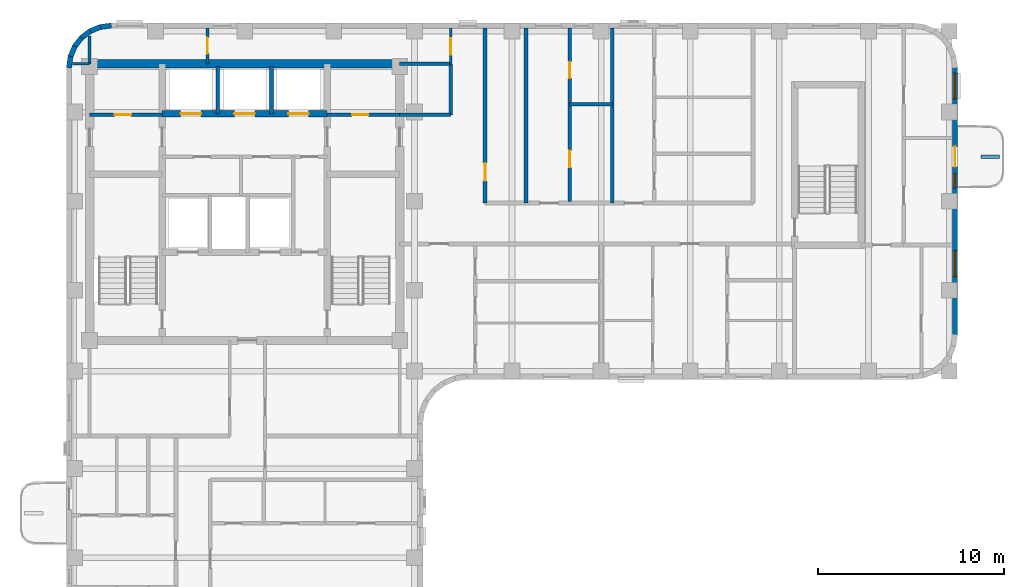
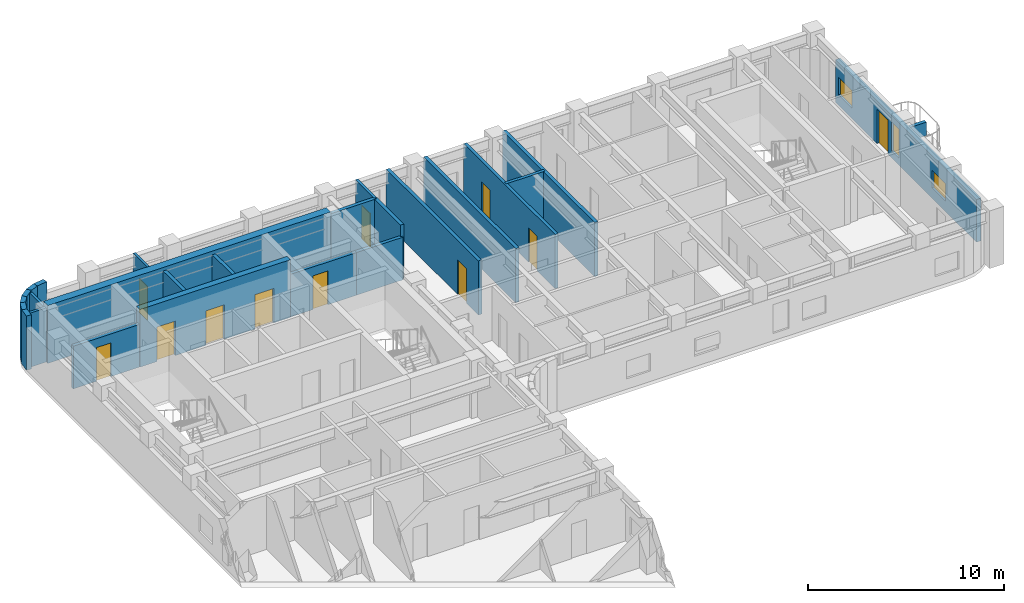
# One storey, part 6 of 10: 26 walls, 11 doors, 3 windows, 14 openings.
"""IFC4 building model written with IfcOpenShell, lengths in metres."""

from ifc_helpers import new_model, si_unit, direction, frame, frame_2d, origin, place, context, subcontext, project, spatial, rectangle, extrude, material, layer, layer_set, type_object, element, fill, save


model = new_model("IFC4")

# Units and contexts
model_context = context("Model", 3, precision=1e-05, world=origin(), true_north=direction((0.0, 1.0)))
body_context = subcontext(model_context, "Body", "Model", "MODEL_VIEW")
ifc_project = project(units=[si_unit("LENGTHUNIT", "METRE"), si_unit("AREAUNIT", "SQUARE_METRE"), si_unit("VOLUMEUNIT", "CUBIC_METRE"), si_unit("PLANEANGLEUNIT", "RADIAN"), si_unit("MASSUNIT", "GRAM", prefix="KILO")], contexts=[model_context])

# Site, building, storey
site_placement = place(None, origin())
site = spatial("IfcSite", under=ifc_project, at=site_placement, CompositionType="ELEMENT")
building_placement = place(site_placement, origin())
building = spatial("IfcBuilding", under=site, at=building_placement, Name="Orvandelia Arch Residences", CompositionType="ELEMENT")
storey_placement = place(building_placement, frame((0.0, 0.0, 221.800048828125)))
storey = spatial("IfcBuildingStorey", under=building, at=storey_placement, Name="L58", CompositionType="ELEMENT", Elevation=221.800048828125)

# Wall, openings, doors
ifc_material_1 = material(Name="Concrete C50/60", Category="concrete")
ifc_layer_1 = layer(ifc_material_1, 0.35009765625, Name="Concrete C50/60", Category="concrete")
ifc_layer_set_1 = layer_set([ifc_layer_1], Name="Concrete C50/60")
wall_type_1 = type_object("IfcWallType", Name="WL-CORE-350", PredefinedType="SHEAR", material=ifc_layer_set_1)
wall_1_placement = place(storey_placement, frame((9.9599609375, 43.10009765625, 0.0), z_axis=(0.0, 0.0, 1.0), x_axis=(1.0, 0.0, 0.0)))
wall_1 = element("IfcWall", 1, at=wall_1_placement, inside=storey, type_object=wall_type_1, Name="Core Shear Wall L58-HZ4", PredefinedType="SHEAR", context=body_context, shape_type="SweptSolid", body=[
    extrude(rectangle(XDim=8.880126953125, YDim=0.35009765625, at=frame_2d((4.43994140625, 0.0))), origin(), (0.0, 0.0, 1.0), 3.599853515625),
])
opening_1_placement = place(wall_1_placement, frame((0.989990234375, 0.0, 0.0)))
opening_1 = element("IfcOpeningElement", 2, at=opening_1_placement, cuts=wall_1, Name="Opening LD", PredefinedType="OPENING", context=body_context, shape_type="SweptSolid", body=[
    extrude(rectangle(XDim=1.10009765625, YDim=2.14990234375, at=frame_2d((0.550048828125, 1.074951171875))), frame((0.0, 0.18505859375, 0.0), z_axis=(0.0, -1.0, 0.0), x_axis=(1.0, 0.0, 0.0)), (0.0, 0.0, 1.0), 0.3701171875),
])
opening_2_placement = place(wall_1_placement, frame((3.889892578125, 0.0, 0.0)))
opening_2 = element("IfcOpeningElement", 3, at=opening_2_placement, cuts=wall_1, Name="Opening LD", PredefinedType="OPENING", context=body_context, shape_type="SweptSolid", body=[
    extrude(rectangle(XDim=1.10009765625, YDim=2.14990234375, at=frame_2d((0.550048828125, 1.074951171875))), frame((0.0, 0.18505859375, 0.0), z_axis=(0.0, -1.0, 0.0), x_axis=(1.0, 0.0, 0.0)), (0.0, 0.0, 1.0), 0.3701171875),
])
opening_3_placement = place(wall_1_placement, frame((6.7900390625, 0.0, 0.0)))
opening_3 = element("IfcOpeningElement", 4, at=opening_3_placement, cuts=wall_1, Name="Opening LD", PredefinedType="OPENING", context=body_context, shape_type="SweptSolid", body=[
    extrude(rectangle(XDim=1.10009765625, YDim=2.14990234375, at=frame_2d((0.550048828125, 1.074951171875))), frame((0.0, 0.18505859375, 0.0), z_axis=(0.0, -1.0, 0.0), x_axis=(1.0, 0.0, 0.0)), (0.0, 0.0, 1.0), 0.3701171875),
])
ifc_material_2 = material(Name="Brushed Stainless Steel Sliding Lift Door", Category="steel")
door_type_1 = type_object("IfcDoorType", Name="DR-LIFT-1100", OperationType="NOTDEFINED", PredefinedType="DOOR", material=ifc_material_2)
door_1_placement = place(opening_1_placement, origin())
door_1 = element("IfcDoor", 5, at=door_1_placement, inside=storey, type_object=door_type_1, Name="Lift Landing Door LD-PH1-L58", OperationType="SLIDING_TO_LEFT", OverallHeight=2.14990234375, OverallWidth=1.10009765625, PredefinedType="DOOR", context=body_context, shape_type="SweptSolid", body=[
    extrude(rectangle(XDim=1.10009765625, YDim=2.14990234375, at=frame_2d((0.550048828125, 1.074951171875))), frame((0.0, 0.02490234375, 0.0), z_axis=(0.0, -1.0, 0.0), x_axis=(1.0, 0.0, 0.0)), (0.0, 0.0, 1.0), 0.050048828125),
])
fill(opening_1, door_1)
door_2_placement = place(opening_2_placement, origin())
door_2 = element("IfcDoor", 6, at=door_2_placement, inside=storey, type_object=door_type_1, Name="Lift Landing Door LD-PH2-L58", OperationType="SLIDING_TO_RIGHT", OverallHeight=2.14990234375, OverallWidth=1.10009765625, PredefinedType="DOOR", context=body_context, shape_type="SweptSolid", body=[
    extrude(rectangle(XDim=1.10009765625, YDim=2.14990234375, at=frame_2d((0.550048828125, 1.074951171875))), frame((0.0, 0.02490234375, 0.0), z_axis=(0.0, -1.0, 0.0), x_axis=(1.0, 0.0, 0.0)), (0.0, 0.0, 1.0), 0.050048828125),
])
fill(opening_2, door_2)
door_3_placement = place(opening_3_placement, origin())
door_3 = element("IfcDoor", 7, at=door_3_placement, inside=storey, type_object=door_type_1, Name="Lift Landing Door LD-PH3-L58", OperationType="SLIDING_TO_LEFT", OverallHeight=2.14990234375, OverallWidth=1.10009765625, PredefinedType="DOOR", context=body_context, shape_type="SweptSolid", body=[
    extrude(rectangle(XDim=1.10009765625, YDim=2.14990234375, at=frame_2d((0.550048828125, 1.074951171875))), frame((0.0, 0.02490234375, 0.0), z_axis=(0.0, -1.0, 0.0), x_axis=(1.0, 0.0, 0.0)), (0.0, 0.0, 1.0), 0.050048828125),
])
fill(opening_3, door_3)

# Walls
ifc_layer_2 = layer(ifc_material_1, 0.449951171875, Name="Concrete C50/60", Category="concrete")
ifc_layer_set_2 = layer_set([ifc_layer_2], Name="Concrete C50/60")
wall_type_2 = type_object("IfcWallType", Name="WL-CORE-450", PredefinedType="SHEAR", material=ifc_layer_set_2)
wall_2_placement = place(storey_placement, frame((6.050048828125, 45.800048828125, 0.0), z_axis=(0.0, 0.0, 1.0), x_axis=(1.0, 0.0, 0.0)))
element("IfcWall", 8, at=wall_2_placement, inside=storey, type_object=wall_type_2, Name="Core Shear Wall L58-N", PredefinedType="SHEAR", context=body_context, shape_type="SweptSolid", body=[
    extrude(rectangle(XDim=16.699951171875, YDim=0.449951171875, at=frame_2d((8.35009765625, 0.0))), origin(), (0.0, 0.0, 1.0), 3.599853515625),
])
ifc_material_3 = material(Name="Fire-Rated Corridor Partition")
ifc_layer_3 = layer(ifc_material_3, 0.199951171875, Name="Fire-Rated Corridor Partition")
ifc_layer_set_3 = layer_set([ifc_layer_3], Name="Fire-Rated Corridor Partition")
wall_type_3 = type_object("IfcWallType", Name="WL-CORR-200", PredefinedType="PARTITIONING", material=ifc_layer_set_3)
wall_3_placement = place(storey_placement, frame((22.75, 45.800048828125, 0.0), z_axis=(0.0, 0.0, 1.0), x_axis=(1.0, 0.0, 0.0)))
element("IfcWall", 9, at=wall_3_placement, inside=storey, type_object=wall_type_3, Name="Interior Partition Wall WL-L58-NCE-S", PredefinedType="PARTITIONING", context=body_context, shape_type="SweptSolid", body=[
    extrude(rectangle(XDim=2.75, YDim=0.199951171875, at=frame_2d((1.375, 0.0))), origin(), (0.0, 0.0, 1.0), 3.3798828125),
])

# Wall, opening, door
wall_4_placement = place(storey_placement, frame((27.35009765625, 38.300048828125, 0.0), z_axis=(0.0, 0.0, 1.0), x_axis=(0.0, 1.0, 0.0)))
wall_4 = element("IfcWall", 10, at=wall_4_placement, inside=storey, type_object=wall_type_3, Name="Interior Partition Wall WL-L58-EM-NCE", PredefinedType="PARTITIONING", context=body_context, shape_type="SweptSolid", body=[
    extrude(rectangle(XDim=9.419921875, YDim=0.199951171875, at=frame_2d((4.7099609375, 0.0))), origin(), (0.0, 0.0, 1.0), 3.3798828125),
])
opening_4_placement = place(wall_4_placement, frame((1.199951171875, 0.0, 0.0)))
opening_4 = element("IfcOpeningElement", 11, at=opening_4_placement, cuts=wall_4, Name="Opening D2", PredefinedType="OPENING", context=body_context, shape_type="SweptSolid", body=[
    extrude(rectangle(XDim=0.949951171875, YDim=2.14990234375, at=frame_2d((0.47509765625, 1.074951171875))), frame((0.0, 0.10986328125, 0.0), z_axis=(0.0, -1.0, 0.0), x_axis=(1.0, 0.0, 0.0)), (0.0, 0.0, 1.0), 0.219970703125),
])
ifc_material_4 = material(Name="Solid-Core Timber Interior Fire Door", Category="wood")
door_type_2 = type_object("IfcDoorType", Name="DR-APT-950", OperationType="NOTDEFINED", PredefinedType="DOOR", material=ifc_material_4)
door_4_placement = place(opening_4_placement, origin())
door_4 = element("IfcDoor", 12, at=door_4_placement, inside=storey, type_object=door_type_2, Name="DR-L58-LDY", OperationType="SINGLE_SWING_RIGHT", OverallHeight=2.14990234375, OverallWidth=0.949951171875, PredefinedType="DOOR", context=body_context, shape_type="SweptSolid", body=[
    extrude(rectangle(XDim=0.949951171875, YDim=2.14990234375, at=frame_2d((0.47509765625, 1.074951171875))), frame((0.0, 0.02490234375, 0.0), z_axis=(0.0, -1.0, 0.0), x_axis=(1.0, 0.0, 0.0)), (0.0, 0.0, 1.0), 0.050048828125),
])
fill(opening_4, door_4)

# Walls
wall_5_placement = place(storey_placement, frame((22.75, 43.050048828125, 0.0), z_axis=(0.0, 0.0, 1.0), x_axis=(1.0, 0.0, 0.0)))
element("IfcWall", 13, at=wall_5_placement, inside=storey, type_object=wall_type_3, Name="Interior Partition Wall WL-L58-EM-LS", PredefinedType="PARTITIONING", context=body_context, shape_type="SweptSolid", body=[
    extrude(rectangle(XDim=2.75, YDim=0.199951171875, at=frame_2d((1.375, 0.0))), origin(), (0.0, 0.0, 1.0), 2.659912109375),
])
wall_6_placement = place(storey_placement, frame((25.5, 43.050048828125, 0.0), z_axis=(0.0, 0.0, 1.0), x_axis=(0.0, 1.0, 0.0)))
element("IfcWall", 14, at=wall_6_placement, inside=storey, type_object=wall_type_3, Name="Interior Partition Wall WL-L58-EM-LW2", PredefinedType="PARTITIONING", context=body_context, shape_type="SweptSolid", body=[
    extrude(rectangle(XDim=2.75, YDim=0.199951171875, at=frame_2d((1.375, 0.0))), origin(), (0.0, 0.0, 1.0), 3.3798828125),
])
ifc_material_5 = material(Name="Concrete C40/50", Category="concrete")
ifc_layer_4 = layer(ifc_material_5, 0.199951171875, Name="Concrete C40/50", Category="concrete")
ifc_layer_set_4 = layer_set([ifc_layer_4], Name="Concrete C40/50")
wall_type_4 = type_object("IfcWallType", Name="WL-DEM-200", PredefinedType="SOLIDWALL", material=ifc_layer_set_4)
for number, where, z_axis, x_axis, name in (
    (15, (29.550048828125, 38.300048828125, 0.0), (0.0, 0.0, 1.0), (0.0, 1.0, 0.0), "Interior Partition Wall WL-L58-EM-LDE"),
    (16, (34.199951171875, 38.300048828125, 0.0), (0.0, 0.0, 1.0), (0.0, 1.0, 0.0), "Interior Partition Wall WL-L58-DEM-EMN-342"),
):
    element("IfcWall", number, at=place(storey_placement, frame(where, z_axis=z_axis, x_axis=x_axis)), inside=storey, type_object=wall_type_4, Name=name, PredefinedType="SOLIDWALL", context=body_context, shape_type="SweptSolid", body=[
        extrude(rectangle(XDim=9.419921875, YDim=0.199951171875, at=frame_2d((4.7099609375, 0.0))), origin(), (0.0, 0.0, 1.0), 3.3798828125),
    ])
ifc_material_6 = material(Name="Precast concrete C40/50", Category="concrete")
ifc_layer_5 = layer(ifc_material_6, 0.280029296875, Name="Precast concrete C40/50", Category="concrete")
ifc_layer_set_5 = layer_set([ifc_layer_5], Name="Precast concrete C40/50")
wall_type_5 = type_object("IfcWallType", Name="WL-EXT-STONE-280", PredefinedType="STANDARD", material=ifc_layer_set_5)
for number, where, z_axis, x_axis, name in (
    (17, (4.938720703125, 45.581787109375, 0.0), (0.0, 0.0, 1.0), (0.130555323746, 0.9914410257, 0.0), "Coral-Limestone Precast Facade Wall L58-001"),
    (18, (5.010986328125, 46.16748046875, 0.0), (0.0, 0.0, 1.0), (0.382650053678, 0.92389335771, 0.0), "Coral-Limestone Precast Facade Wall L58-002"),
    (19, (5.232666015625, 46.71484375, 0.0), (0.0, 0.0, 1.0), (0.608693302629, 0.793405610854, 0.0), "Coral-Limestone Precast Facade Wall L58-003"),
    (20, (5.588134765625, 47.18603515625, 0.0), (0.0, 0.0, 1.0), (0.793405610854, 0.608693302629, 0.0), "Coral-Limestone Precast Facade Wall L58-004"),
):
    element("IfcWall", number, at=place(storey_placement, frame(where, z_axis=z_axis, x_axis=x_axis)), inside=storey, type_object=wall_type_5, Name=name, PredefinedType="STANDARD", context=body_context, shape_type="SweptSolid", body=[
        extrude(rectangle(XDim=0.62646484375, YDim=0.280029296875, at=frame_2d((0.313232421875, 0.0))), origin(), (0.0, 0.0, 1.0), 3.3798828125),
    ])
wall_7_placement = place(storey_placement, frame((6.0537109375, 47.54931640625, 0.0), z_axis=(0.0, 0.0, 1.0), x_axis=(0.923974080304, 0.382455093999, 0.0)))
element("IfcWall", 21, at=wall_7_placement, inside=storey, type_object=wall_type_5, Name="Coral-Limestone Precast Facade Wall L58-005", PredefinedType="STANDARD", context=body_context, shape_type="SweptSolid", body=[
    extrude(rectangle(XDim=0.626220703125, YDim=0.280029296875, at=frame_2d((0.31298828125, 0.0))), origin(), (0.0, 0.0, 1.0), 3.3798828125),
])
wall_8_placement = place(storey_placement, frame((6.59716796875, 47.779296875, 0.0), z_axis=(0.0, 0.0, 1.0), x_axis=(0.9914410257, 0.130555323746, 0.0)))
element("IfcWall", 22, at=wall_8_placement, inside=storey, type_object=wall_type_5, Name="Coral-Limestone Precast Facade Wall L58-006", PredefinedType="STANDARD", context=body_context, shape_type="SweptSolid", body=[
    extrude(rectangle(XDim=0.62646484375, YDim=0.280029296875, at=frame_2d((0.313232421875, 0.0))), origin(), (0.0, 0.0, 1.0), 3.3798828125),
])

# Wall, openings, door, windows
wall_9_placement = place(storey_placement, frame((52.659912109375, 45.60009765625, 0.0), z_axis=(0.0, 0.0, 1.0), x_axis=(0.0, -1.0, 0.0)))
wall_9 = element("IfcWall", 23, at=wall_9_placement, inside=storey, type_object=wall_type_5, Name="Coral-Limestone Precast Facade Wall L58-014", PredefinedType="STANDARD", context=body_context, shape_type="SweptSolid", body=[
    extrude(rectangle(XDim=14.400146484375, YDim=0.280029296875, at=frame_2d((7.2001953125, 0.0))), origin(), (0.0, 0.0, 1.0), 2.659912109375),
])
opening_5_placement = place(wall_9_placement, frame((4.25, 0.0, 0.0)))
opening_5 = element("IfcOpeningElement", 24, at=opening_5_placement, cuts=wall_9, Name="Opening BD1", PredefinedType="OPENING", context=body_context, shape_type="SweptSolid", body=[
    extrude(rectangle(XDim=1.10009765625, YDim=2.14990234375, at=frame_2d((0.550048828125, 1.074951171875))), frame((0.0, 0.14990234375, 0.0), z_axis=(0.0, -1.0, 0.0), x_axis=(1.0, 0.0, 0.0)), (0.0, 0.0, 1.0), 0.300048828125),
])
opening_6_placement = place(wall_9_placement, frame((9.862548828125, 0.0, 0.64990234375)))
opening_6 = element("IfcOpeningElement", 25, at=opening_6_placement, cuts=wall_9, Name="Opening W10", PredefinedType="OPENING", context=body_context, shape_type="SweptSolid", body=[
    extrude(rectangle(XDim=1.39990234375, YDim=1.10009765625, at=frame_2d((0.699951171875, 0.550048828125))), frame((0.0, 0.14990234375, 0.0), z_axis=(0.0, -1.0, 0.0), x_axis=(1.0, 0.0, 0.0)), (0.0, 0.0, 1.0), 0.300048828125),
])
opening_7_placement = place(wall_9_placement, frame((5.7275390625, 0.0, 0.449951171875)))
opening_7 = element("IfcOpeningElement", 26, at=opening_7_placement, cuts=wall_9, Name="Opening W11", PredefinedType="OPENING", context=body_context, shape_type="SweptSolid", body=[
    extrude(rectangle(XDim=0.75, YDim=1.800048828125, at=frame_2d((0.375, 0.89990234375))), frame((0.0, 0.14990234375, 0.0), z_axis=(0.0, -1.0, 0.0), x_axis=(1.0, 0.0, 0.0)), (0.0, 0.0, 1.0), 0.300048828125),
])
opening_8_placement = place(wall_9_placement, frame((0.3076171875, 0.0, 0.64990234375)))
opening_8 = element("IfcOpeningElement", 27, at=opening_8_placement, cuts=wall_9, Name="Opening W10", PredefinedType="OPENING", context=body_context, shape_type="SweptSolid", body=[
    extrude(rectangle(XDim=1.39990234375, YDim=1.10009765625, at=frame_2d((0.699951171875, 0.550048828125))), frame((0.0, 0.14990234375, 0.0), z_axis=(0.0, -1.0, 0.0), x_axis=(1.0, 0.0, 0.0)), (0.0, 0.0, 1.0), 0.300048828125),
])
ifc_material_7 = material(Name="Thermally Broken Aluminium Glazed Door", Category="aluminium")
door_type_3 = type_object("IfcDoorType", Name="DR-BAL-GLAZ-1100", OperationType="NOTDEFINED", PredefinedType="DOOR", material=ifc_material_7)
door_5_placement = place(opening_5_placement, origin())
door_5 = element("IfcDoor", 28, at=door_5_placement, inside=storey, type_object=door_type_3, Name="Tree Balcony Glazed Door BAL-L58-E1", OperationType="SINGLE_SWING_LEFT", OverallHeight=2.14990234375, OverallWidth=1.10009765625, PredefinedType="DOOR", context=body_context, shape_type="SweptSolid", body=[
    extrude(rectangle(XDim=1.10009765625, YDim=2.14990234375, at=frame_2d((0.550048828125, 1.074951171875))), frame((0.0, 0.02490234375, 0.0), z_axis=(0.0, -1.0, 0.0), x_axis=(1.0, 0.0, 0.0)), (0.0, 0.0, 1.0), 0.050048828125),
])
fill(opening_5, door_5)
ifc_material_8 = material(Name="Tempered Low-E Insulated Glazing", Category="glass")
window_type_1 = type_object("IfcWindowType", Name="WIN-BED-0750x1800", PartitioningType="SINGLE_PANEL", PredefinedType="WINDOW", material=ifc_material_8)
window_1_placement = place(opening_7_placement, origin())
window_1 = element("IfcWindow", 29, at=window_1_placement, inside=storey, type_object=window_type_1, Name="Recessed Punched Window L58-011", OverallHeight=1.800048828125, OverallWidth=0.75, PartitioningType="SINGLE_PANEL", PredefinedType="WINDOW", context=body_context, shape_type="SweptSolid", body=[
    extrude(rectangle(XDim=0.75, YDim=1.800048828125, at=frame_2d((0.375, 0.89990234375))), frame((0.0, 0.030029296875, 0.0), z_axis=(0.0, -1.0, 0.0), x_axis=(1.0, 0.0, 0.0)), (0.0, 0.0, 1.0), 0.06005859375),
])
fill(opening_7, window_1)
window_type_2 = type_object("IfcWindowType", Name="WIN-CLR-1400x1100", PartitioningType="SINGLE_PANEL", PredefinedType="WINDOW", material=ifc_material_8)
window_2_placement = place(opening_6_placement, origin())
window_2 = element("IfcWindow", 30, at=window_2_placement, inside=storey, type_object=window_type_2, Name="Recessed Punched Window L58-010", OverallHeight=1.10009765625, OverallWidth=1.39990234375, PartitioningType="SINGLE_PANEL", PredefinedType="WINDOW", context=body_context, shape_type="SweptSolid", body=[
    extrude(rectangle(XDim=1.39990234375, YDim=1.10009765625, at=frame_2d((0.699951171875, 0.550048828125))), frame((0.0, 0.030029296875, 0.0), z_axis=(0.0, -1.0, 0.0), x_axis=(1.0, 0.0, 0.0)), (0.0, 0.0, 1.0), 0.06005859375),
])
fill(opening_6, window_2)
window_3_placement = place(opening_8_placement, origin())
window_3 = element("IfcWindow", 31, at=window_3_placement, inside=storey, type_object=window_type_2, Name="Recessed Punched Window L58-012", OverallHeight=1.10009765625, OverallWidth=1.39990234375, PartitioningType="SINGLE_PANEL", PredefinedType="WINDOW", context=body_context, shape_type="SweptSolid", body=[
    extrude(rectangle(XDim=1.39990234375, YDim=1.10009765625, at=frame_2d((0.699951171875, 0.550048828125))), frame((0.0, 0.030029296875, 0.0), z_axis=(0.0, -1.0, 0.0), x_axis=(1.0, 0.0, 0.0)), (0.0, 0.0, 1.0), 0.06005859375),
])
fill(opening_8, window_3)

# Wall
ifc_material_9 = material(Name="Acoustic Gypsum Stud Partition")
ifc_layer_6 = layer(ifc_material_9, 0.14990234375, Name="Acoustic Gypsum Stud Partition")
ifc_layer_set_6 = layer_set([ifc_layer_6], Name="Acoustic Gypsum Stud Partition")
wall_type_6 = type_object("IfcWallType", Name="WL-PART-150", PredefinedType="PARTITIONING", material=ifc_layer_set_6)
wall_10_placement = place(storey_placement, frame((5.1201171875, 45.800048828125, 0.0), z_axis=(0.0, 0.0, 1.0), x_axis=(1.0, 0.0, 0.0)))
element("IfcWall", 32, at=wall_10_placement, inside=storey, type_object=wall_type_6, Name="Interior Partition Wall WL-L58-WF-N", PredefinedType="PARTITIONING", context=body_context, shape_type="SweptSolid", body=[
    extrude(rectangle(XDim=0.929931640625, YDim=0.14990234375, at=frame_2d((0.46484375, 0.0))), origin(), (0.0, 0.0, 1.0), 3.3798828125),
])

# Wall, opening, door
wall_11_placement = place(storey_placement, frame((25.5, 45.800048828125, 0.0), z_axis=(0.0, 0.0, 1.0), x_axis=(0.0, 1.0, 0.0)))
wall_11 = element("IfcWall", 33, at=wall_11_placement, inside=storey, type_object=wall_type_6, Name="Interior Partition Wall WL-L58-NCE-W", PredefinedType="PARTITIONING", context=body_context, shape_type="SweptSolid", body=[
    extrude(rectangle(XDim=1.919921875, YDim=0.14990234375, at=frame_2d((0.9599609375, 0.0))), origin(), (0.0, 0.0, 1.0), 3.3798828125),
])
opening_9_placement = place(wall_11_placement, frame((0.5, 0.0, 0.0)))
opening_9 = element("IfcOpeningElement", 34, at=opening_9_placement, cuts=wall_11, Name="Opening D5", PredefinedType="OPENING", context=body_context, shape_type="SweptSolid", body=[
    extrude(rectangle(XDim=0.8798828125, YDim=2.10009765625, at=frame_2d((0.43994140625, 1.050048828125))), frame((0.0, 0.0849609375, 0.0), z_axis=(0.0, -1.0, 0.0), x_axis=(1.0, 0.0, 0.0)), (0.0, 0.0, 1.0), 0.169921875),
])
ifc_material_10 = material(Name="Painted Galvanised Steel Service Door", Category="steel")
door_type_4 = type_object("IfcDoorType", Name="DR-SRV-880", OperationType="NOTDEFINED", PredefinedType="DOOR", material=ifc_material_10)
door_6_placement = place(opening_9_placement, origin())
door_6 = element("IfcDoor", 35, at=door_6_placement, inside=storey, type_object=door_type_4, Name="DR-L58-NCS2", OperationType="SINGLE_SWING_LEFT", OverallHeight=2.10009765625, OverallWidth=0.8798828125, PredefinedType="DOOR", context=body_context, shape_type="SweptSolid", body=[
    extrude(rectangle(XDim=0.8798828125, YDim=2.10009765625, at=frame_2d((0.43994140625, 1.050048828125))), frame((0.0, 0.02490234375, 0.0), z_axis=(0.0, -1.0, 0.0), x_axis=(1.0, 0.0, 0.0)), (0.0, 0.0, 1.0), 0.050048828125),
])
fill(opening_9, door_6)

# Wall
wall_12_placement = place(storey_placement, frame((6.050048828125, 45.800048828125, 0.0), z_axis=(0.0, 0.0, 1.0), x_axis=(0.0, 1.0, 0.0)))
element("IfcWall", 36, at=wall_12_placement, inside=storey, type_object=wall_type_6, Name="Interior Partition Wall WL-L58-NC-W6", PredefinedType="PARTITIONING", context=body_context, shape_type="SweptSolid", body=[
    extrude(rectangle(XDim=1.5, YDim=0.14990234375, at=frame_2d((0.75, 0.0))), origin(), (0.0, 0.0, 1.0), 3.3798828125),
])

# Wall, opening, door
wall_13_placement = place(storey_placement, frame((12.39990234375, 45.800048828125, 0.0), z_axis=(0.0, 0.0, 1.0), x_axis=(0.0, 1.0, 0.0)))
wall_13 = element("IfcWall", 37, at=wall_13_placement, inside=storey, type_object=wall_type_6, Name="Interior Partition Wall WL-L58-NC-M", PredefinedType="PARTITIONING", context=body_context, shape_type="SweptSolid", body=[
    extrude(rectangle(XDim=1.919921875, YDim=0.14990234375, at=frame_2d((0.9599609375, 0.0))), origin(), (0.0, 0.0, 1.0), 3.3798828125),
])
opening_10_placement = place(wall_13_placement, frame((0.550048828125, 0.0, 0.0)))
opening_10 = element("IfcOpeningElement", 38, at=opening_10_placement, cuts=wall_13, Name="Opening D4", PredefinedType="OPENING", context=body_context, shape_type="SweptSolid", body=[
    extrude(rectangle(XDim=0.860107421875, YDim=2.10009765625, at=frame_2d((0.43017578125, 1.050048828125))), frame((0.0, 0.0849609375, 0.0), z_axis=(0.0, -1.0, 0.0), x_axis=(1.0, 0.0, 0.0)), (0.0, 0.0, 1.0), 0.169921875),
])
ifc_material_11 = material(Name="Moisture-Sealed Timber Bathroom Door", Category="wood")
door_type_5 = type_object("IfcDoorType", Name="DR-WET-900", OperationType="NOTDEFINED", PredefinedType="DOOR", material=ifc_material_11)
door_7_placement = place(opening_10_placement, origin())
door_7 = element("IfcDoor", 39, at=door_7_placement, inside=storey, type_object=door_type_5, Name="DR-L58-NCS1", OperationType="SINGLE_SWING_LEFT", OverallHeight=2.10009765625, OverallWidth=0.860107421875, PredefinedType="DOOR", context=body_context, shape_type="SweptSolid", body=[
    extrude(rectangle(XDim=0.860107421875, YDim=2.10009765625, at=frame_2d((0.43017578125, 1.050048828125))), frame((0.0, 0.02490234375, 0.0), z_axis=(0.0, -1.0, 0.0), x_axis=(1.0, 0.0, 0.0)), (0.0, 0.0, 1.0), 0.050048828125),
])
fill(opening_10, door_7)

# Wall
ifc_layer_7 = layer(ifc_material_6, 0.199951171875, Name="Precast concrete C40/50", Category="concrete")
ifc_layer_set_7 = layer_set([ifc_layer_7], Name="Precast concrete C40/50")
wall_type_7 = type_object("IfcWallType", Name="WL-PLANTER-200", PredefinedType="MOVABLE", material=ifc_layer_set_7)
wall_14_placement = place(storey_placement, frame((54.050048828125, 40.800048828125, 0.0), z_axis=(0.0, 0.0, 1.0), x_axis=(1.0, 0.0, 0.0)))
element("IfcWall", 40, at=wall_14_placement, inside=storey, type_object=wall_type_7, Name="Balcony Precast Tree Planter BAL-L58-E1", PredefinedType="MOVABLE", context=body_context, shape_type="SweptSolid", body=[
    extrude(rectangle(XDim=1.0, YDim=0.199951171875, at=frame_2d((0.5, 0.0))), origin(), (0.0, 0.0, 1.0), 0.849853515625),
])

# Wall, opening, door
ifc_material_12 = material(Name="Fire-Rated Shaft Enclosure Wall")
ifc_layer_8 = layer(ifc_material_12, 0.199951171875, Name="Fire-Rated Shaft Enclosure Wall")
ifc_layer_set_8 = layer_set([ifc_layer_8], Name="Fire-Rated Shaft Enclosure Wall")
wall_type_8 = type_object("IfcWallType", Name="WL-SHAFT-200", PredefinedType="POLYGONAL", material=ifc_layer_set_8)
wall_15_placement = place(storey_placement, frame((18.840087890625, 43.050048828125, 0.0), z_axis=(0.0, 0.0, 1.0), x_axis=(1.0, 0.0, 0.0)))
wall_15 = element("IfcWall", 41, at=wall_15_placement, inside=storey, type_object=wall_type_8, Name="Interior Partition Wall WL-L58-HLE-N", PredefinedType="POLYGONAL", context=body_context, shape_type="SweptSolid", body=[
    extrude(rectangle(XDim=3.909912109375, YDim=0.199951171875, at=frame_2d((1.955078125, 0.0))), origin(), (0.0, 0.0, 1.0), 2.659912109375),
])
opening_11_placement = place(wall_15_placement, frame((1.35009765625, 0.0, 0.0)))
opening_11 = element("IfcOpeningElement", 42, at=opening_11_placement, cuts=wall_15, Name="Opening D5", PredefinedType="OPENING", context=body_context, shape_type="SweptSolid", body=[
    extrude(rectangle(XDim=0.8798828125, YDim=2.10009765625, at=frame_2d((0.43994140625, 1.050048828125))), frame((0.0, 0.10986328125, 0.0), z_axis=(0.0, -1.0, 0.0), x_axis=(1.0, 0.0, 0.0)), (0.0, 0.0, 1.0), 0.219970703125),
])
door_8_placement = place(opening_11_placement, origin())
door_8 = element("IfcDoor", 43, at=door_8_placement, inside=storey, type_object=door_type_4, Name="DR-L58-CSB1", OperationType="SINGLE_SWING_LEFT", OverallHeight=2.10009765625, OverallWidth=0.8798828125, PredefinedType="DOOR", context=body_context, shape_type="SweptSolid", body=[
    extrude(rectangle(XDim=0.8798828125, YDim=2.10009765625, at=frame_2d((0.43994140625, 1.050048828125))), frame((0.0, 0.02490234375, 0.0), z_axis=(0.0, -1.0, 0.0), x_axis=(1.0, 0.0, 0.0)), (0.0, 0.0, 1.0), 0.050048828125),
])
fill(opening_11, door_8)

wall_16_placement = place(storey_placement, frame((6.050048828125, 43.050048828125, 0.0), z_axis=(0.0, 0.0, 1.0), x_axis=(1.0, 0.0, 0.0)))
wall_16 = element("IfcWall", 44, at=wall_16_placement, inside=storey, type_object=wall_type_8, Name="Interior Partition Wall WL-L58-HLW-N", PredefinedType="POLYGONAL", context=body_context, shape_type="SweptSolid", body=[
    extrude(rectangle(XDim=3.909912109375, YDim=0.199951171875, at=frame_2d((1.955078125, 0.0))), origin(), (0.0, 0.0, 1.0), 2.659912109375),
])
opening_12_placement = place(wall_16_placement, frame((1.35009765625, 0.0, 0.0)))
opening_12 = element("IfcOpeningElement", 45, at=opening_12_placement, cuts=wall_16, Name="Opening D5", PredefinedType="OPENING", context=body_context, shape_type="SweptSolid", body=[
    extrude(rectangle(XDim=0.8798828125, YDim=2.10009765625, at=frame_2d((0.43994140625, 1.050048828125))), frame((0.0, 0.10986328125, 0.0), z_axis=(0.0, -1.0, 0.0), x_axis=(1.0, 0.0, 0.0)), (0.0, 0.0, 1.0), 0.219970703125),
])
door_9_placement = place(opening_12_placement, origin())
door_9 = element("IfcDoor", 46, at=door_9_placement, inside=storey, type_object=door_type_4, Name="Riser Service Door L58", OperationType="SINGLE_SWING_RIGHT", OverallHeight=2.10009765625, OverallWidth=0.8798828125, PredefinedType="DOOR", context=body_context, shape_type="SweptSolid", body=[
    extrude(rectangle(XDim=0.8798828125, YDim=2.10009765625, at=frame_2d((0.43994140625, 1.050048828125))), frame((0.0, 0.02490234375, 0.0), z_axis=(0.0, -1.0, 0.0), x_axis=(1.0, 0.0, 0.0)), (0.0, 0.0, 1.0), 0.050048828125),
])
fill(opening_12, door_9)

# Walls
for number, where, z_axis, x_axis, name in (
    (47, (12.949951171875, 43.10009765625, 0.0), (0.0, 0.0, 1.0), (0.0, 1.0, 0.0), "Interior Partition Wall WL-L58-PHD1"),
    (48, (15.85009765625, 43.10009765625, 0.0), (0.0, 0.0, 1.0), (0.0, 1.0, 0.0), "Interior Partition Wall WL-L58-PHD2"),
):
    element("IfcWall", number, at=place(storey_placement, frame(where, z_axis=z_axis, x_axis=x_axis)), inside=storey, type_object=wall_type_8, Name=name, PredefinedType="POLYGONAL", context=body_context, shape_type="SweptSolid", body=[
        extrude(rectangle(XDim=2.5498046875, YDim=0.199951171875, at=frame_2d((1.27490234375, 0.0))), origin(), (0.0, 0.0, 1.0), 3.3798828125),
    ])

# Wall, openings, doors
ifc_material_13 = material(Name="Moisture-Resistant Plumbing Wall")
ifc_layer_9 = layer(ifc_material_13, 0.179931640625, Name="Moisture-Resistant Plumbing Wall")
ifc_layer_set_9 = layer_set([ifc_layer_9], Name="Moisture-Resistant Plumbing Wall")
wall_type_9 = type_object("IfcWallType", Name="WL-WET-180", PredefinedType="PLUMBINGWALL", material=ifc_layer_set_9)
wall_17_placement = place(storey_placement, frame((31.909912109375, 38.3798828125, 0.0), z_axis=(0.0, 0.0, 1.0), x_axis=(0.0, 1.0, 0.0)))
wall_17 = element("IfcWall", 49, at=wall_17_placement, inside=storey, type_object=wall_type_9, Name="Interior Partition Wall WL-L58-U07-VT", PredefinedType="PLUMBINGWALL", context=body_context, shape_type="SweptSolid", body=[
    extrude(rectangle(XDim=9.340087890625, YDim=0.179931640625, at=frame_2d((4.669921875, 0.0))), origin(), (0.0, 0.0, 1.0), 3.3798828125),
])
opening_13_placement = place(wall_17_placement, frame((1.84130859375, 0.0, 0.0)))
opening_13 = element("IfcOpeningElement", 50, at=opening_13_placement, cuts=wall_17, Name="Opening D3", PredefinedType="OPENING", context=body_context, shape_type="SweptSolid", body=[
    extrude(rectangle(XDim=0.89990234375, YDim=2.14990234375, at=frame_2d((0.449951171875, 1.074951171875))), frame((0.0, 0.10009765625, 0.0), z_axis=(0.0, -1.0, 0.0), x_axis=(1.0, 0.0, 0.0)), (0.0, 0.0, 1.0), 0.199951171875),
])
opening_14_placement = place(wall_17_placement, frame((6.64501953125, 0.0, 0.0)))
opening_14 = element("IfcOpeningElement", 51, at=opening_14_placement, cuts=wall_17, Name="Opening D4", PredefinedType="OPENING", context=body_context, shape_type="SweptSolid", body=[
    extrude(rectangle(XDim=0.860107421875, YDim=2.10009765625, at=frame_2d((0.43017578125, 1.050048828125))), frame((0.0, 0.10009765625, 0.0), z_axis=(0.0, -1.0, 0.0), x_axis=(1.0, 0.0, 0.0)), (0.0, 0.0, 1.0), 0.199951171875),
])
ifc_material_14 = material(Name="Engineered Timber Flush Door", Category="wood")
door_type_6 = type_object("IfcDoorType", Name="DR-INT-900", OperationType="NOTDEFINED", PredefinedType="DOOR", material=ifc_material_14)
door_10_placement = place(opening_13_placement, origin())
door_10 = element("IfcDoor", 52, at=door_10_placement, inside=storey, type_object=door_type_6, Name="DR-L58-U07-KIT", OperationType="SINGLE_SWING_LEFT", OverallHeight=2.14990234375, OverallWidth=0.89990234375, PredefinedType="DOOR", context=body_context, shape_type="SweptSolid", body=[
    extrude(rectangle(XDim=0.89990234375, YDim=2.14990234375, at=frame_2d((0.449951171875, 1.074951171875))), frame((0.0, 0.02490234375, 0.0), z_axis=(0.0, -1.0, 0.0), x_axis=(1.0, 0.0, 0.0)), (0.0, 0.0, 1.0), 0.050048828125),
])
fill(opening_13, door_10)
door_11_placement = place(opening_14_placement, origin())
door_11 = element("IfcDoor", 53, at=door_11_placement, inside=storey, type_object=door_type_5, Name="DR-L58-U07-BTH", OperationType="SINGLE_SWING_RIGHT", OverallHeight=2.10009765625, OverallWidth=0.860107421875, PredefinedType="DOOR", context=body_context, shape_type="SweptSolid", body=[
    extrude(rectangle(XDim=0.860107421875, YDim=2.10009765625, at=frame_2d((0.43017578125, 1.050048828125))), frame((0.0, 0.02490234375, 0.0), z_axis=(0.0, -1.0, 0.0), x_axis=(1.0, 0.0, 0.0)), (0.0, 0.0, 1.0), 0.050048828125),
])
fill(opening_14, door_11)

# Wall
wall_18_placement = place(storey_placement, frame((31.909912109375, 43.6220703125, 0.0), z_axis=(0.0, 0.0, 1.0), x_axis=(1.0, 0.0, 0.0)))
element("IfcWall", 54, at=wall_18_placement, inside=storey, type_object=wall_type_9, Name="Interior Partition Wall WL-L58-U07-H1", PredefinedType="PLUMBINGWALL", context=body_context, shape_type="SweptSolid", body=[
    extrude(rectangle(XDim=2.31005859375, YDim=0.179931640625, at=frame_2d((1.155029296875, 0.0))), origin(), (0.0, 0.0, 1.0), 3.3798828125),
])

save(model, "model.ifc")
